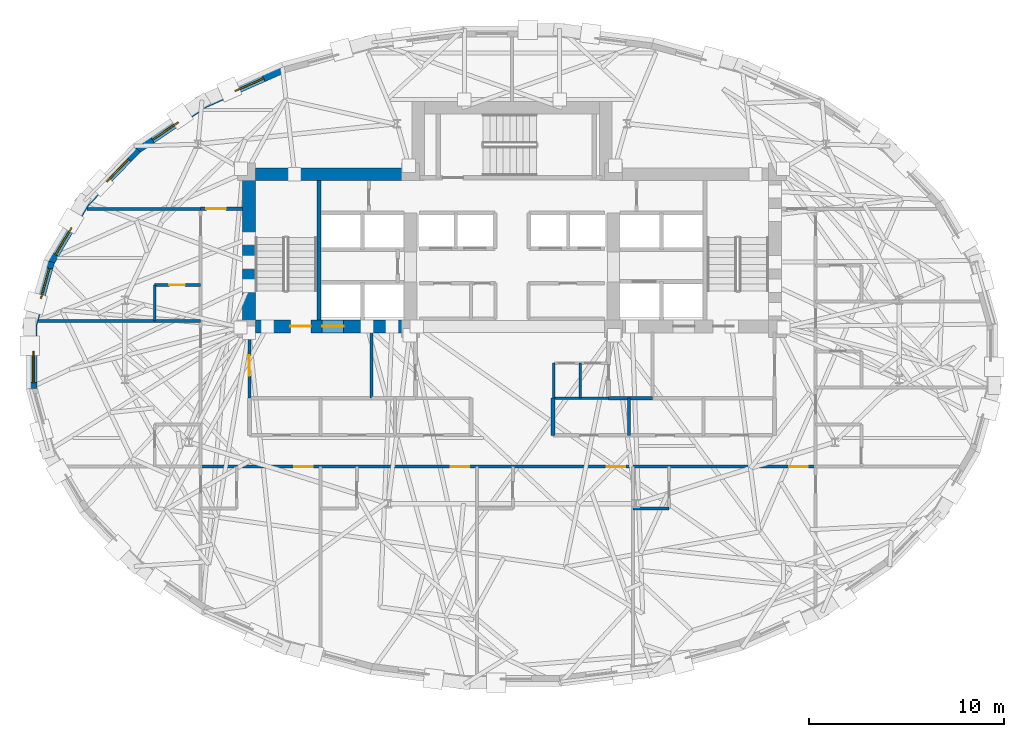
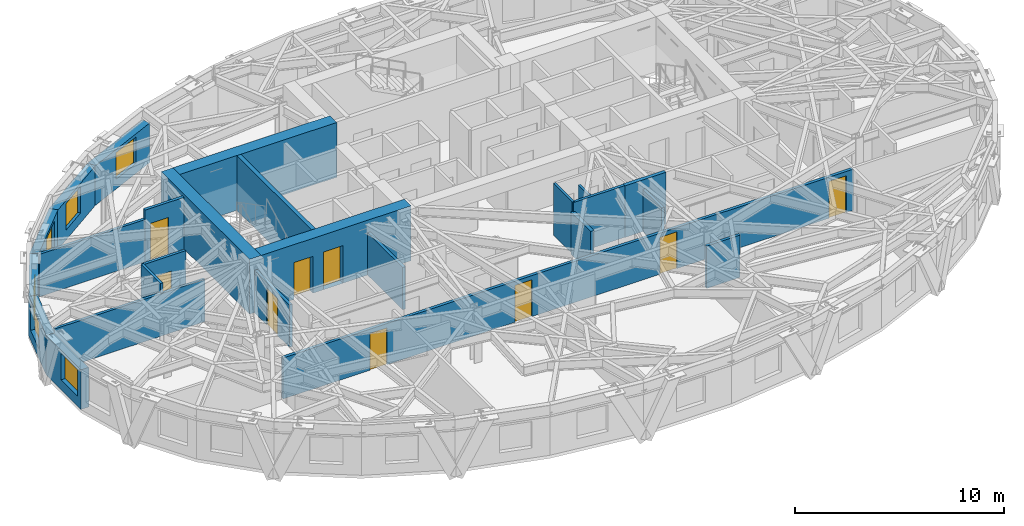
# One storey, part 7 of 15: 25 walls, 9 doors, 6 windows, 15 openings.
"""IFC4 building model written with IfcOpenShell, lengths in metres."""

import ifcopenshell
import ifcopenshell.guid

model = None  # the IFC model being written
_history = None  # IfcOwnerHistory: only IFC2X3 demands one
_inside = {}  # id of a spatial element -> (the spatial element, [elements in it])
_under = {}  # id of a project, library or spatial element -> (it, [spatial elements below it])
_declared = {}  # id of a project -> (the project, [libraries it declares])
_typed = {}  # id of a type object -> (the type object, [elements of that type])
_made_of = {}  # id of a material, layer set ... -> (it, [elements and type objects made of it])


def new_model(schema):
    """Start an empty IFC model of exactly this schema.

    Asked for "IFC4X3", IfcOpenShell would pick the latest addendum, in which some entities
    have other attributes; the version numbers below select the first issue.
    IFC2X3 requires an IfcOwnerHistory on every rooted entity: one is made here for all.
    """
    global model, _history
    if schema == "IFC4X3":
        model = ifcopenshell.file(schema_version=(4, 3, 0, 0))
    else:
        model = ifcopenshell.file(schema=schema)
    _inside.clear()
    _under.clear()
    _declared.clear()
    _typed.clear()
    _made_of.clear()
    _history = None
    if model.schema == "IFC2X3":
        org = make("IfcOrganization", Name="unknown")
        user = make(
            "IfcPersonAndOrganization",
            ThePerson=make("IfcPerson", FamilyName="unknown"),
            TheOrganization=org,
        )
        app = make(
            "IfcApplication",
            ApplicationDeveloper=org,
            Version="unknown",
            ApplicationFullName="unknown",
            ApplicationIdentifier="unknown",
        )
        _history = make(
            "IfcOwnerHistory",
            OwningUser=user,
            OwningApplication=app,
            ChangeAction="ADDED",
            CreationDate=0,
        )
    return model


def make(cls, **values):
    """One entity of the class cls with the attributes given. An attribute that is None is left unset."""
    return model.create_entity(
        cls, **{name: value for name, value in values.items() if value is not None}
    )


def rooted(cls, **values):
    """An entity with a GlobalId (a new one), such as an element, a storey or a relation."""
    return make(cls, GlobalId=ifcopenshell.guid.new(), OwnerHistory=_history, **values)


def si_unit(unit_type, name, prefix=None):
    """IfcSIUnit, for example si_unit("LENGTHUNIT", "METRE", prefix="MILLI")."""
    return make("IfcSIUnit", UnitType=unit_type, Prefix=prefix, Name=name)


def assignment(units):
    """IfcUnitAssignment: the units of a project."""
    return None if units is None else make("IfcUnitAssignment", Units=units)


def point(xyz):
    """IfcCartesianPoint."""
    return None if xyz is None else make("IfcCartesianPoint", Coordinates=xyz)


def direction(xyz):
    """IfcDirection."""
    return None if xyz is None else make("IfcDirection", DirectionRatios=xyz)


def frame(location, z_axis=None, x_axis=None):
    """IfcAxis2Placement3D, a coordinate frame: its origin and axes. An axis left out is left unset."""
    return make(
        "IfcAxis2Placement3D",
        Location=point(location),
        Axis=direction(z_axis),
        RefDirection=direction(x_axis),
    )


def frame_2d(location, x_axis=None):
    """IfcAxis2Placement2D, a coordinate frame in the plane: its origin and x axis."""
    return make(
        "IfcAxis2Placement2D", Location=point(location), RefDirection=direction(x_axis)
    )


def origin():
    """The frame at (0, 0, 0) with its axes left unset."""
    return frame((0.0, 0.0, 0.0))


def place(relative_to, where):
    """IfcLocalPlacement: puts the frame where relative to a parent placement (None: the world)."""
    return make(
        "IfcLocalPlacement", PlacementRelTo=relative_to, RelativePlacement=where
    )


def context(
    kind, dimensions, precision=None, world=None, true_north=None, identifier=None
):
    """IfcGeometricRepresentationContext, for example the 3D "Model" context."""
    return make(
        "IfcGeometricRepresentationContext",
        ContextIdentifier=identifier,
        ContextType=kind,
        CoordinateSpaceDimension=dimensions,
        Precision=precision,
        WorldCoordinateSystem=world,
        TrueNorth=true_north,
    )


def subcontext(parent, identifier, kind, view, scale=None):
    """IfcGeometricRepresentationSubContext, for example "Body" below "Model"."""
    return make(
        "IfcGeometricRepresentationSubContext",
        ContextIdentifier=identifier,
        ContextType=kind,
        ParentContext=parent,
        TargetScale=scale,
        TargetView=view,
    )


def project(units=None, contexts=None):
    """IfcProject with its units and contexts."""
    return rooted(
        "IfcProject",
        Name="project",
        RepresentationContexts=contexts,
        UnitsInContext=assignment(units),
    )


def spatial(cls, under=None, at=None, **own):
    """A site, building, storey or space (cls), placed at a placement, below another one or the project."""
    s = rooted(cls, ObjectPlacement=at, **own)
    if under is not None:
        _under.setdefault(under.id(), (under, []))[1].append(s)
    return s


def profile(cls, at=None, kind="AREA", **sizes):
    """A parametric profile (cls). Its sizes go by their IFC names, for example OverallWidth=200.0."""
    return make(cls, ProfileType=kind, Position=at, **sizes)


def rectangle(**sizes):
    """IfcRectangleProfileDef."""
    return profile("IfcRectangleProfileDef", **sizes)


def extrude(swept, where, along, depth):
    """IfcExtrudedAreaSolid: the profile swept, set in the frame where, extruded along a direction by depth."""
    return make(
        "IfcExtrudedAreaSolid",
        SweptArea=swept,
        Position=where,
        ExtrudedDirection=direction(along),
        Depth=depth,
    )


def shape(context_of_items, identifier, shape_type, items):
    """IfcShapeRepresentation: the items that make up one representation, for example the "Body"."""
    return make(
        "IfcShapeRepresentation",
        ContextOfItems=context_of_items,
        RepresentationIdentifier=identifier,
        RepresentationType=shape_type,
        Items=items,
    )


def material(Name=None, Category=None):
    """IfcMaterial."""
    return make("IfcMaterial", Name=Name, Category=Category)


def layer(
    of_material, thickness, ventilated=None, Name=None, Category=None, Priority=None
):
    """IfcMaterialLayer: one layer of a wall or slab, of a material (None: an air gap)."""
    return make(
        "IfcMaterialLayer",
        Material=of_material,
        LayerThickness=thickness,
        IsVentilated=ventilated,
        Name=Name,
        Category=Category,
        Priority=Priority,
    )


def layer_set(layers, Name=None):
    """IfcMaterialLayerSet."""
    return make("IfcMaterialLayerSet", MaterialLayers=layers, LayerSetName=Name)


def made_of(thing, what):
    """Note that an element or type object is made of a material, layer set ...; save() writes the relation."""
    if what is not None:
        _made_of.setdefault(what.id(), (what, []))[1].append(thing)
    return thing


def type_object(cls, material=None, **own):
    """A type object (cls), such as IfcWallType, which elements share."""
    return made_of(rooted(cls, **own), material)


def element(
    cls,
    number,
    at=None,
    inside=None,
    cuts=None,
    type_object=None,
    material=None,
    context=None,
    identifier="Body",
    shape_type=None,
    held_by="IfcProductDefinitionShape",
    body=None,
    shapes=None,
    **own,
):
    """One element of the class cls, such as IfcWall. Its Tag is "e" and its number.

    at: its placement. inside: the storey or other place that contains it. cuts: it is an
    opening in that element (IfcRelVoidsElement). A single representation is given by context,
    identifier, shape_type and body (its items); several are given by shapes. held_by: the class
    of the entity that holds the representations. save() writes the other relations.
    """
    e = rooted(cls, Tag="e%d" % number, ObjectPlacement=at, **own)
    if body is not None:
        shapes = [shape(context, identifier, shape_type, body)]
    if shapes is not None:
        e.Representation = make(held_by, Representations=shapes)
    if inside is not None:
        _inside.setdefault(inside.id(), (inside, []))[1].append(e)
    if cuts is not None:
        rooted(
            "IfcRelVoidsElement", RelatingBuildingElement=cuts, RelatedOpeningElement=e
        )
    if type_object is not None:
        _typed.setdefault(type_object.id(), (type_object, []))[1].append(e)
    return made_of(e, material)


def fill(opening, filler):
    """IfcRelFillsElement: the door or window that sits in an opening."""
    return rooted(
        "IfcRelFillsElement",
        RelatingOpeningElement=opening,
        RelatedBuildingElement=filler,
    )


def aggregate(whole, parts):
    """IfcRelAggregates: a whole, such as a stair, and the parts it consists of."""
    return rooted("IfcRelAggregates", RelatingObject=whole, RelatedObjects=parts)


def save(model, path):
    """Write the relations noted so far, then the file.

    IfcRelAggregates (storeys below a building ...), IfcRelContainedInSpatialStructure (elements
    in a storey), IfcRelDefinesByType, IfcRelAssociatesMaterial and IfcRelDeclares: one each for
    every whole, place, type object, material and project.
    """
    for whole, parts in _under.values():
        aggregate(whole, parts)
    for where, things in _inside.values():
        rooted(
            "IfcRelContainedInSpatialStructure",
            RelatedElements=things,
            RelatingStructure=where,
        )
    for kind, things in _typed.values():
        rooted("IfcRelDefinesByType", RelatedObjects=things, RelatingType=kind)
    for what, things in _made_of.values():
        rooted("IfcRelAssociatesMaterial", RelatedObjects=things, RelatingMaterial=what)
    for by, libraries in _declared.values():
        rooted("IfcRelDeclares", RelatingContext=by, RelatedDefinitions=libraries)
    model.write(path)


model = new_model("IFC4")

# Units and contexts
model_context = context("Model", 3, precision=1e-05, world=origin(), true_north=direction((0.0, 1.0)))
body_context = subcontext(model_context, "Body", "Model", "MODEL_VIEW")
ifc_project = project(units=[si_unit("LENGTHUNIT", "METRE"), si_unit("AREAUNIT", "SQUARE_METRE"), si_unit("VOLUMEUNIT", "CUBIC_METRE"), si_unit("PLANEANGLEUNIT", "RADIAN"), si_unit("MASSUNIT", "GRAM", prefix="KILO")], contexts=[model_context])

# Site, building, storey
site_placement = place(None, origin())
site = spatial("IfcSite", under=ifc_project, at=site_placement, CompositionType="ELEMENT")
building_placement = place(site_placement, origin())
building = spatial("IfcBuilding", under=site, at=building_placement, Name="Keldmark Tower", CompositionType="ELEMENT")
storey_placement = place(building_placement, frame((0.0, 0.0, 166.199951171875)))
storey = spatial("IfcBuildingStorey", under=building, at=storey_placement, Name="L45", CompositionType="ELEMENT", Elevation=166.199951171875)

# Walls
ifc_material_1 = material(Name="Heavy Acoustic Plumbing Chase Gypsum Assembly", Category="gypsum")
ifc_layer_1 = layer(ifc_material_1, 0.18994140625)
ifc_layer_set_1 = layer_set([ifc_layer_1], Name="Heavy Acoustic Plumbing Chase Gypsum Assembly")
wall_type_1 = type_object("IfcWallType", Name="Heavy Wet Wall 190 mm", PredefinedType="PLUMBINGWALL", material=ifc_layer_set_1)
wall_1_placement = place(storey_placement, frame((2.10009765625, -4.050048828125, 0.0), z_axis=(0.0, 0.0, 1.0), x_axis=(0.0, 1.0, 0.0)))
element("IfcWall", 1, at=wall_1_placement, inside=storey, type_object=wall_type_1, Name="L45 Heavy Wet Wall 190 mm SPK-E-W", PredefinedType="PLUMBINGWALL", context=body_context, shape_type="SweptSolid", body=[
    extrude(rectangle(XDim=1.900146484375, YDim=0.18994140625, at=frame_2d((0.9501953125, 0.0))), origin(), (0.0, 0.0, 1.0), 2.47314453125),
])
ifc_material_2 = material(Name="Acoustic Gypsum Board Interior Partition", Category="gypsum")
ifc_layer_2 = layer(ifc_material_2, 0.1298828125)
ifc_layer_set_2 = layer_set([ifc_layer_2], Name="Acoustic Gypsum Board Interior Partition")
wall_type_2 = type_object("IfcWallType", Name="Interior Partition 130 mm", PredefinedType="PARTITIONING", material=ifc_layer_set_2)
wall_2_placement = place(storey_placement, frame((2.14990234375, -2.14990234375, 0.0), z_axis=(0.0, 0.0, 1.0), x_axis=(0.0, 1.0, 0.0)))
element("IfcWall", 2, at=wall_2_placement, inside=storey, type_object=wall_type_2, Name="L45 Interior Partition 130 mm CSC-E-W", PredefinedType="PARTITIONING", context=body_context, shape_type="SweptSolid", body=[
    extrude(rectangle(XDim=1.7998046875, YDim=0.1298828125, at=frame_2d((0.89990234375, 0.0))), origin(), (0.0, 0.0, 1.0), 3.02001953125),
])
wall_3_placement = place(storey_placement, frame((3.5, -2.14990234375, 0.0), z_axis=(0.0, 0.0, 1.0), x_axis=(0.0, 1.0, 0.0)))
element("IfcWall", 3, at=wall_3_placement, inside=storey, type_object=wall_type_2, Name="L45 Interior Partition 130 mm CSC-E-M", PredefinedType="PARTITIONING", context=body_context, shape_type="SweptSolid", body=[
    extrude(rectangle(XDim=1.7998046875, YDim=0.1298828125, at=frame_2d((0.89990234375, 0.0))), origin(), (0.0, 0.0, 1.0), 2.47314453125),
])

# Wall, opening, door
ifc_material_3 = material(Name="Type X Fire-Rated Gypsum Partition Assembly", Category="gypsum")
ifc_layer_3 = layer(ifc_material_3, 0.1650390625)
ifc_layer_set_3 = layer_set([ifc_layer_3], Name="Type X Fire-Rated Gypsum Partition Assembly")
wall_type_3 = type_object("IfcWallType", Name="Rated Partition 165 mm", PredefinedType="PARTITIONING", material=ifc_layer_set_3)
wall_4_placement = place(storey_placement, frame((-13.449951171875, -2.14990234375, 0.0), z_axis=(0.0, 0.0, 1.0), x_axis=(0.0, 1.0, 0.0)))
wall_4 = element("IfcWall", 4, at=wall_4_placement, inside=storey, type_object=wall_type_3, Name="L45 Rated Partition 165 mm FSAE-W-W", PredefinedType="PARTITIONING", context=body_context, shape_type="SweptSolid", body=[
    extrude(rectangle(XDim=3.39990234375, YDim=0.1650390625, at=frame_2d((1.699951171875, 0.0))), origin(), (0.0, 0.0, 1.0), 2.47314453125),
])
opening_1_placement = place(wall_4_placement, frame((1.14990234375, 0.0, 0.0)))
opening_1 = element("IfcOpeningElement", 5, at=opening_1_placement, cuts=wall_4, Name="Opening D-FL105", PredefinedType="OPENING", context=body_context, shape_type="SweptSolid", body=[
    extrude(rectangle(XDim=1.050048828125, YDim=2.14990234375, at=frame_2d((0.52490234375, 1.074951171875))), frame((0.0, 0.092529296875, 0.0), z_axis=(0.0, -1.0, 0.0), x_axis=(1.0, 0.0, 0.0)), (0.0, 0.0, 1.0), 0.18505859375),
])
ifc_material_4 = material(Name="Fire-Rated Mineral-Core Door and Vision Lite", Category="metal")
door_type_1 = type_object("IfcDoorType", Name="Fire Lobby Door 1050x2150", OperationType="NOTDEFINED", PredefinedType="DOOR", material=ifc_material_4)
door_1_placement = place(opening_1_placement, origin())
door_1 = element("IfcDoor", 6, at=door_1_placement, inside=storey, type_object=door_type_1, Name="L45 Fire Lobby Door 1050x2150 D-FSAEW-OUT-L45", OperationType="SINGLE_SWING_LEFT", OverallHeight=2.14990234375, OverallWidth=1.050048828125, PredefinedType="DOOR", context=body_context, shape_type="SweptSolid", body=[
    extrude(rectangle(XDim=1.050048828125, YDim=2.14990234375, at=frame_2d((0.52490234375, 1.074951171875))), frame((0.0, 0.02490234375, 0.0), z_axis=(0.0, -1.0, 0.0), x_axis=(1.0, 0.0, 0.0)), (0.0, 0.0, 1.0), 0.050048828125),
])
fill(opening_1, door_1)

# Wall
wall_5_placement = place(storey_placement, frame((-7.199951171875, -2.14990234375, 0.0), z_axis=(0.0, 0.0, 1.0), x_axis=(0.0, 1.0, 0.0)))
element("IfcWall", 7, at=wall_5_placement, inside=storey, type_object=wall_type_3, Name="L45 Rated Partition 165 mm FSAE-W-E", PredefinedType="PARTITIONING", context=body_context, shape_type="SweptSolid", body=[
    extrude(rectangle(XDim=3.39990234375, YDim=0.1650390625, at=frame_2d((1.699951171875, 0.0))), origin(), (0.0, 0.0, 1.0), 2.47314453125),
])

# Wall, openings, doors
wall_6_placement = place(storey_placement, frame((-15.949951171875, -5.64990234375, 0.0), z_axis=(0.0, 0.0, 1.0), x_axis=(1.0, 0.0, 0.0)))
wall_6 = element("IfcWall", 8, at=wall_6_placement, inside=storey, type_object=wall_type_3, Name="L45 Rated Partition 165 mm HCOR-S", PredefinedType="PARTITIONING", context=body_context, shape_type="SweptSolid", body=[
    extrude(rectangle(XDim=31.5, YDim=0.1650390625, at=frame_2d((15.75, 0.0))), origin(), (0.0, 0.0, 1.0), 2.39794921875),
])
opening_2_placement = place(wall_6_placement, frame((4.800048828125, 0.0, 0.0)))
opening_2 = element("IfcOpeningElement", 9, at=opening_2_placement, cuts=wall_6, Name="Opening D-HT095", PredefinedType="OPENING", context=body_context, shape_type="SweptSolid", body=[
    extrude(rectangle(XDim=0.949951171875, YDim=2.14990234375, at=frame_2d((0.47509765625, 1.074951171875))), frame((0.0, 0.092529296875, 0.0), z_axis=(0.0, -1.0, 0.0), x_axis=(1.0, 0.0, 0.0)), (0.0, 0.0, 1.0), 0.18505859375),
])
opening_3_placement = place(wall_6_placement, frame((12.800048828125, 0.0, 0.0)))
opening_3 = element("IfcOpeningElement", 10, at=opening_3_placement, cuts=wall_6, Name="Opening D-HT095", PredefinedType="OPENING", context=body_context, shape_type="SweptSolid", body=[
    extrude(rectangle(XDim=0.949951171875, YDim=2.14990234375, at=frame_2d((0.47509765625, 1.074951171875))), frame((0.0, 0.092529296875, 0.0), z_axis=(0.0, -1.0, 0.0), x_axis=(1.0, 0.0, 0.0)), (0.0, 0.0, 1.0), 0.18505859375),
])
opening_4_placement = place(wall_6_placement, frame((20.800048828125, 0.0, 0.0)))
opening_4 = element("IfcOpeningElement", 11, at=opening_4_placement, cuts=wall_6, Name="Opening D-HT095", PredefinedType="OPENING", context=body_context, shape_type="SweptSolid", body=[
    extrude(rectangle(XDim=0.949951171875, YDim=2.14990234375, at=frame_2d((0.47509765625, 1.074951171875))), frame((0.0, 0.092529296875, 0.0), z_axis=(0.0, -1.0, 0.0), x_axis=(1.0, 0.0, 0.0)), (0.0, 0.0, 1.0), 0.18505859375),
])
opening_5_placement = place(wall_6_placement, frame((30.14990234375, 0.0, 0.0)))
opening_5 = element("IfcOpeningElement", 12, at=opening_5_placement, cuts=wall_6, Name="Opening D-HT095", PredefinedType="OPENING", context=body_context, shape_type="SweptSolid", body=[
    extrude(rectangle(XDim=0.949951171875, YDim=2.14990234375, at=frame_2d((0.47509765625, 1.074951171875))), frame((0.0, 0.092529296875, 0.0), z_axis=(0.0, -1.0, 0.0), x_axis=(1.0, 0.0, 0.0)), (0.0, 0.0, 1.0), 0.18505859375),
])
ifc_material_5 = material(Name="Solid-Core Acoustic White Oak Fire-Rated Assembly", Category="wood")
door_type_2 = type_object("IfcDoorType", Name="Hotel Entry Door 950x2150", OperationType="NOTDEFINED", PredefinedType="DOOR", material=ifc_material_5)
door_2_placement = place(opening_2_placement, origin())
door_2 = element("IfcDoor", 13, at=door_2_placement, inside=storey, type_object=door_type_2, Name="L45 Hotel Entry Door 950x2150 D-HRS1-L45", OperationType="SINGLE_SWING_RIGHT", OverallHeight=2.14990234375, OverallWidth=0.949951171875, PredefinedType="DOOR", context=body_context, shape_type="SweptSolid", body=[
    extrude(rectangle(XDim=0.949951171875, YDim=2.14990234375, at=frame_2d((0.47509765625, 1.074951171875))), frame((0.0, 0.02490234375, 0.0), z_axis=(0.0, -1.0, 0.0), x_axis=(1.0, 0.0, 0.0)), (0.0, 0.0, 1.0), 0.050048828125),
])
fill(opening_2, door_2)
door_3_placement = place(opening_3_placement, origin())
door_3 = element("IfcDoor", 14, at=door_3_placement, inside=storey, type_object=door_type_2, Name="L45 Hotel Entry Door 950x2150 D-HRS2-L45", OperationType="SINGLE_SWING_LEFT", OverallHeight=2.14990234375, OverallWidth=0.949951171875, PredefinedType="DOOR", context=body_context, shape_type="SweptSolid", body=[
    extrude(rectangle(XDim=0.949951171875, YDim=2.14990234375, at=frame_2d((0.47509765625, 1.074951171875))), frame((0.0, 0.02490234375, 0.0), z_axis=(0.0, -1.0, 0.0), x_axis=(1.0, 0.0, 0.0)), (0.0, 0.0, 1.0), 0.050048828125),
])
fill(opening_3, door_3)
door_4_placement = place(opening_4_placement, origin())
door_4 = element("IfcDoor", 15, at=door_4_placement, inside=storey, type_object=door_type_2, Name="L45 Hotel Entry Door 950x2150 D-HRS3-L45", OperationType="SINGLE_SWING_RIGHT", OverallHeight=2.14990234375, OverallWidth=0.949951171875, PredefinedType="DOOR", context=body_context, shape_type="SweptSolid", body=[
    extrude(rectangle(XDim=0.949951171875, YDim=2.14990234375, at=frame_2d((0.47509765625, 1.074951171875))), frame((0.0, 0.02490234375, 0.0), z_axis=(0.0, -1.0, 0.0), x_axis=(1.0, 0.0, 0.0)), (0.0, 0.0, 1.0), 0.050048828125),
])
fill(opening_4, door_4)
door_5_placement = place(opening_5_placement, origin())
door_5 = element("IfcDoor", 16, at=door_5_placement, inside=storey, type_object=door_type_2, Name="L45 Hotel Entry Door 950x2150 D-HRS4-L45", OperationType="SINGLE_SWING_LEFT", OverallHeight=2.14990234375, OverallWidth=0.949951171875, PredefinedType="DOOR", context=body_context, shape_type="SweptSolid", body=[
    extrude(rectangle(XDim=0.949951171875, YDim=2.14990234375, at=frame_2d((0.47509765625, 1.074951171875))), frame((0.0, 0.02490234375, 0.0), z_axis=(0.0, -1.0, 0.0), x_axis=(1.0, 0.0, 0.0)), (0.0, 0.0, 1.0), 0.050048828125),
])
fill(opening_5, door_5)

# Wall, opening, door
wall_7_placement = place(storey_placement, frame((-15.949951171875, 7.550048828125, 0.0), z_axis=(0.0, 0.0, 1.0), x_axis=(1.0, 0.0, 0.0)))
wall_7 = element("IfcWall", 17, at=wall_7_placement, inside=storey, type_object=wall_type_3, Name="L45 Rated Partition 165 mm HCOR-WN", PredefinedType="PARTITIONING", context=body_context, shape_type="SweptSolid", body=[
    extrude(rectangle(XDim=2.14990234375, YDim=0.1650390625, at=frame_2d((1.074951171875, 0.0))), origin(), (0.0, 0.0, 1.0), 3.02001953125),
])
opening_6_placement = place(wall_7_placement, frame((0.300048828125, 0.0, 0.0)))
opening_6 = element("IfcOpeningElement", 18, at=opening_6_placement, cuts=wall_7, Name="Opening D-FD100", PredefinedType="OPENING", context=body_context, shape_type="SweptSolid", body=[
    extrude(rectangle(XDim=1.0, YDim=2.14990234375, at=frame_2d((0.5, 1.074951171875))), frame((0.0, 0.092529296875, 0.0), z_axis=(0.0, -1.0, 0.0), x_axis=(1.0, 0.0, 0.0)), (0.0, 0.0, 1.0), 0.18505859375),
])
ifc_material_6 = material(Name="Hollow Metal Fire-Rated Corridor Door", Category="metal")
door_type_3 = type_object("IfcDoorType", Name="Fire Door 1000x2150", OperationType="NOTDEFINED", PredefinedType="DOOR", material=ifc_material_6)
door_6_placement = place(opening_6_placement, origin())
door_6 = element("IfcDoor", 19, at=door_6_placement, inside=storey, type_object=door_type_3, Name="L45 Fire Door 1000x2150 D-HNNW-L45", OperationType="SINGLE_SWING_LEFT", OverallHeight=2.14990234375, OverallWidth=1.0, PredefinedType="DOOR", context=body_context, shape_type="SweptSolid", body=[
    extrude(rectangle(XDim=1.0, YDim=2.14990234375, at=frame_2d((0.5, 1.074951171875))), frame((0.0, 0.02490234375, 0.0), z_axis=(0.0, -1.0, 0.0), x_axis=(1.0, 0.0, 0.0)), (0.0, 0.0, 1.0), 0.050048828125),
])
fill(opening_6, door_6)

# Walls
ifc_material_7 = material(Name="Fire-Resistant Type X Gypsum Shaftliner Coreboard", Category="gypsum")
ifc_layer_4 = layer(ifc_material_7, 0.199951171875)
ifc_layer_set_4 = layer_set([ifc_layer_4], Name="Fire-Resistant Type X Gypsum Shaftliner Coreboard")
wall_type_4 = type_object("IfcWallType", Name="Shaft Wall 200 mm", PredefinedType="SOLIDWALL", material=ifc_layer_set_4)
wall_8_placement = place(storey_placement, frame((4.949951171875, -2.14990234375, 0.0), z_axis=(0.0, 0.0, 1.0), x_axis=(1.0, 0.0, 0.0)))
element("IfcWall", 20, at=wall_8_placement, inside=storey, type_object=wall_type_4, Name="L45 Shaft Wall 200 mm RIS-SE-S", PredefinedType="SOLIDWALL", context=body_context, shape_type="SweptSolid", body=[
    extrude(rectangle(XDim=2.25, YDim=0.199951171875, at=frame_2d((1.125, 0.0))), origin(), (0.0, 0.0, 1.0), 3.02001953125),
])
ifc_material_8 = material(Name="Concrete C50/60", Category="concrete")
ifc_layer_5 = layer(ifc_material_8, 0.219970703125)
ifc_layer_set_5 = layer_set([ifc_layer_5], Name="Concrete C50/60")
wall_type_5 = type_object("IfcWallType", Name="Stair Core Shear Wall 220 mm", PredefinedType="SHEAR", material=ifc_layer_set_5)
wall_9_placement = place(storey_placement, frame((-9.889892578125, 1.85009765625, 0.0), z_axis=(0.0, 0.0, 1.0), x_axis=(0.0, 1.0, 0.0)))
element("IfcWall", 21, at=wall_9_placement, inside=storey, type_object=wall_type_5, Name="L45 West Stair Core Shear Wall", PredefinedType="SHEAR", context=body_context, shape_type="SweptSolid", body=[
    extrude(rectangle(XDim=7.14990234375, YDim=0.219970703125, at=frame_2d((3.574951171875, 0.0))), origin(), (0.0, 0.0, 1.0), 3.199951171875),
])

# Wall, opening, window
ifc_material_9 = material(Name="Ironspot Manganese Brick and Kasota Buff Limestone Spandrel Assembly", Category="masonry")
ifc_layer_6 = layer(ifc_material_9, 0.43994140625)
ifc_layer_set_6 = layer_set([ifc_layer_6], Name="Ironspot Manganese Brick and Kasota Buff Limestone Spandrel Assembly")
wall_type_6 = type_object("IfcWallType", Name="Tower Brick Pier and Spandrel Wall 440 mm", PredefinedType="STANDARD", material=ifc_layer_set_6)
wall_10_placement = place(storey_placement, frame((-15.790771484375, 12.91552734375, 0.0), z_axis=(0.0, 0.0, 1.0), x_axis=(0.913907994914, 0.405921392431, 0.0)))
wall_10 = element("IfcWall", 22, at=wall_10_placement, inside=storey, type_object=wall_type_6, Name="L45 Exterior Brick and Spandrel Wall 11", PredefinedType="STANDARD", context=body_context, shape_type="SweptSolid", body=[
    extrude(rectangle(XDim=4.4873046875, YDim=0.43994140625, at=frame_2d((2.24365234375, 0.0))), origin(), (0.0, 0.0, 1.0), 2.31494140625),
])
opening_7_placement = place(wall_10_placement, frame((1.7421875, 0.0, 0.580078125)))
opening_7 = element("IfcOpeningElement", 23, at=opening_7_placement, cuts=wall_10, Name="Opening W-04", PredefinedType="OPENING", context=body_context, shape_type="SweptSolid", body=[
    extrude(rectangle(XDim=1.60009765625, YDim=1.550048828125, at=frame_2d((0.800048828125, 0.77490234375))), frame((0.0, 0.22998046875, 0.0), z_axis=(0.0, -1.0, 0.0), x_axis=(1.0, 0.0, 0.0)), (0.0, 0.0, 1.0), 0.4599609375),
])
ifc_material_10 = material(Name="Thermally Broken Anodized Aluminum and Triple Low-E Argon Glazing", Category="aluminium")
window_type = type_object("IfcWindowType", Name="Hotel Deep-Set Operable Window 1600x1550", PartitioningType="DOUBLE_PANEL_HORIZONTAL", PredefinedType="WINDOW", material=ifc_material_10)
window_1_placement = place(opening_7_placement, origin())
window_1 = element("IfcWindow", 24, at=window_1_placement, inside=storey, type_object=window_type, Name="L45 Deep-Set Window 11", OverallHeight=1.550048828125, OverallWidth=1.60009765625, PartitioningType="SINGLE_PANEL", PredefinedType="WINDOW", context=body_context, shape_type="SweptSolid", body=[
    extrude(rectangle(XDim=1.60009765625, YDim=1.550048828125, at=frame_2d((0.800048828125, 0.77490234375))), frame((0.0, -0.010009765625, 0.0), z_axis=(0.0, -1.0, 0.0), x_axis=(1.0, 0.0, 0.0)), (0.0, 0.0, 1.0), 0.06005859375),
])
fill(opening_7, window_1)

wall_11_placement = place(storey_placement, frame((-19.2265625, 10.58251953125, 0.0), z_axis=(0.0, 0.0, 1.0), x_axis=(0.827760762475, 0.561081206338, 0.0)))
wall_11 = element("IfcWall", 25, at=wall_11_placement, inside=storey, type_object=wall_type_6, Name="L45 Exterior Brick and Spandrel Wall 12", PredefinedType="STANDARD", context=body_context, shape_type="SweptSolid", body=[
    extrude(rectangle(XDim=4.19189453125, YDim=0.43994140625, at=frame_2d((2.095947265625, 0.0))), origin(), (0.0, 0.0, 1.0), 2.31494140625),
])
opening_8_placement = place(wall_11_placement, frame((0.947265625, 0.0, 0.580078125)))
opening_8 = element("IfcOpeningElement", 26, at=opening_8_placement, cuts=wall_11, Name="Opening W-04", PredefinedType="OPENING", context=body_context, shape_type="SweptSolid", body=[
    extrude(rectangle(XDim=1.60009765625, YDim=1.550048828125, at=frame_2d((0.800048828125, 0.77490234375))), frame((0.0, 0.22998046875, 0.0), z_axis=(0.0, -1.0, 0.0), x_axis=(1.0, 0.0, 0.0)), (0.0, 0.0, 1.0), 0.4599609375),
])
window_2_placement = place(opening_8_placement, origin())
window_2 = element("IfcWindow", 27, at=window_2_placement, inside=storey, type_object=window_type, Name="L45 Deep-Set Window 12", OverallHeight=1.550048828125, OverallWidth=1.60009765625, PartitioningType="SINGLE_PANEL", PredefinedType="WINDOW", context=body_context, shape_type="SweptSolid", body=[
    extrude(rectangle(XDim=1.60009765625, YDim=1.550048828125, at=frame_2d((0.800048828125, 0.77490234375))), frame((0.0, -0.010009765625, 0.0), z_axis=(0.0, -1.0, 0.0), x_axis=(1.0, 0.0, 0.0)), (0.0, 0.0, 1.0), 0.06005859375),
])
fill(opening_8, window_2)

wall_12_placement = place(storey_placement, frame((-21.878662109375, 7.831787109375, 0.0), z_axis=(0.0, 0.0, 1.0), x_axis=(0.694975307772, 0.719033602544, 0.0)))
wall_12 = element("IfcWall", 28, at=wall_12_placement, inside=storey, type_object=wall_type_6, Name="L45 Exterior Brick and Spandrel Wall 13", PredefinedType="STANDARD", context=body_context, shape_type="SweptSolid", body=[
    extrude(rectangle(XDim=3.866455078125, YDim=0.43994140625, at=frame_2d((1.93310546875, 0.0))), origin(), (0.0, 0.0, 1.0), 2.31494140625),
])
opening_9_placement = place(wall_12_placement, frame((1.5751953125, 0.0, 0.580078125)))
opening_9 = element("IfcOpeningElement", 29, at=opening_9_placement, cuts=wall_12, Name="Opening W-04", PredefinedType="OPENING", context=body_context, shape_type="SweptSolid", body=[
    extrude(rectangle(XDim=1.60009765625, YDim=1.550048828125, at=frame_2d((0.800048828125, 0.77490234375))), frame((0.0, 0.22998046875, 0.0), z_axis=(0.0, -1.0, 0.0), x_axis=(1.0, 0.0, 0.0)), (0.0, 0.0, 1.0), 0.4599609375),
])
window_3_placement = place(opening_9_placement, origin())
window_3 = element("IfcWindow", 30, at=window_3_placement, inside=storey, type_object=window_type, Name="L45 Deep-Set Window 13", OverallHeight=1.550048828125, OverallWidth=1.60009765625, PartitioningType="SINGLE_PANEL", PredefinedType="WINDOW", context=body_context, shape_type="SweptSolid", body=[
    extrude(rectangle(XDim=1.60009765625, YDim=1.550048828125, at=frame_2d((0.800048828125, 0.77490234375))), frame((0.0, -0.010009765625, 0.0), z_axis=(0.0, -1.0, 0.0), x_axis=(1.0, 0.0, 0.0)), (0.0, 0.0, 1.0), 0.06005859375),
])
fill(opening_9, window_3)

wall_13_placement = place(storey_placement, frame((-23.66748046875, 4.793701171875, 0.0), z_axis=(0.0, 0.0, 1.0), x_axis=(0.508883387051, 0.860835465338, 0.0)))
wall_13 = element("IfcWall", 31, at=wall_13_placement, inside=storey, type_object=wall_type_6, Name="L45 Exterior Brick and Spandrel Wall 14", PredefinedType="STANDARD", context=body_context, shape_type="SweptSolid", body=[
    extrude(rectangle(XDim=3.57666015625, YDim=0.43994140625, at=frame_2d((1.788330078125, 0.0))), origin(), (0.0, 0.0, 1.0), 2.31494140625),
])
opening_10_placement = place(wall_13_placement, frame((0.49560546875, 0.0, 0.580078125)))
opening_10 = element("IfcOpeningElement", 32, at=opening_10_placement, cuts=wall_13, Name="Opening W-04", PredefinedType="OPENING", context=body_context, shape_type="SweptSolid", body=[
    extrude(rectangle(XDim=1.60009765625, YDim=1.550048828125, at=frame_2d((0.800048828125, 0.77490234375))), frame((0.0, 0.22998046875, 0.0), z_axis=(0.0, -1.0, 0.0), x_axis=(1.0, 0.0, 0.0)), (0.0, 0.0, 1.0), 0.4599609375),
])
window_4_placement = place(opening_10_placement, origin())
window_4 = element("IfcWindow", 33, at=window_4_placement, inside=storey, type_object=window_type, Name="L45 Deep-Set Window 14", OverallHeight=1.550048828125, OverallWidth=1.60009765625, PartitioningType="SINGLE_PANEL", PredefinedType="WINDOW", context=body_context, shape_type="SweptSolid", body=[
    extrude(rectangle(XDim=1.60009765625, YDim=1.550048828125, at=frame_2d((0.800048828125, 0.77490234375))), frame((0.0, -0.010009765625, 0.0), z_axis=(0.0, -1.0, 0.0), x_axis=(1.0, 0.0, 0.0)), (0.0, 0.0, 1.0), 0.06005859375),
])
fill(opening_10, window_4)

wall_14_placement = place(storey_placement, frame((-24.55419921875, 1.59423828125, 0.0), z_axis=(0.0, 0.0, 1.0), x_axis=(0.269235699479, 0.963074315993, 0.0)))
wall_14 = element("IfcWall", 34, at=wall_14_placement, inside=storey, type_object=wall_type_6, Name="L45 Exterior Brick and Spandrel Wall 15", PredefinedType="STANDARD", context=body_context, shape_type="SweptSolid", body=[
    extrude(rectangle(XDim=3.376953125, YDim=0.43994140625, at=frame_2d((1.6884765625, 0.0))), origin(), (0.0, 0.0, 1.0), 2.31494140625),
])
opening_11_placement = place(wall_14_placement, frame((1.429443359375, 0.0, 0.580078125)))
opening_11 = element("IfcOpeningElement", 35, at=opening_11_placement, cuts=wall_14, Name="Opening W-04", PredefinedType="OPENING", context=body_context, shape_type="SweptSolid", body=[
    extrude(rectangle(XDim=1.60009765625, YDim=1.550048828125, at=frame_2d((0.800048828125, 0.77490234375))), frame((0.0, 0.22998046875, 0.0), z_axis=(0.0, -1.0, 0.0), x_axis=(1.0, 0.0, 0.0)), (0.0, 0.0, 1.0), 0.4599609375),
])
window_5_placement = place(opening_11_placement, origin())
window_5 = element("IfcWindow", 36, at=window_5_placement, inside=storey, type_object=window_type, Name="L45 Deep-Set Window 15", OverallHeight=1.550048828125, OverallWidth=1.60009765625, PartitioningType="SINGLE_PANEL", PredefinedType="WINDOW", context=body_context, shape_type="SweptSolid", body=[
    extrude(rectangle(XDim=1.60009765625, YDim=1.550048828125, at=frame_2d((0.800048828125, 0.77490234375))), frame((0.0, -0.010009765625, 0.0), z_axis=(0.0, -1.0, 0.0), x_axis=(1.0, 0.0, 0.0)), (0.0, 0.0, 1.0), 0.06005859375),
])
fill(opening_11, window_5)

wall_15_placement = place(storey_placement, frame((-24.5458984375, -1.653564453125, 0.0), z_axis=(0.0, 0.0, 1.0), x_axis=(0.0, 1.0, 0.0)))
wall_15 = element("IfcWall", 37, at=wall_15_placement, inside=storey, type_object=wall_type_6, Name="L45 Exterior Brick and Spandrel Wall 16", PredefinedType="STANDARD", context=body_context, shape_type="SweptSolid", body=[
    extrude(rectangle(XDim=3.30712890625, YDim=0.43994140625, at=frame_2d((1.653564453125, 0.0))), origin(), (0.0, 0.0, 1.0), 2.31494140625),
])
opening_12_placement = place(wall_15_placement, frame((0.296875, 0.0, 0.580078125)))
opening_12 = element("IfcOpeningElement", 38, at=opening_12_placement, cuts=wall_15, Name="Opening W-04", PredefinedType="OPENING", context=body_context, shape_type="SweptSolid", body=[
    extrude(rectangle(XDim=1.60009765625, YDim=1.550048828125, at=frame_2d((0.800048828125, 0.77490234375))), frame((0.0, 0.22998046875, 0.0), z_axis=(0.0, -1.0, 0.0), x_axis=(1.0, 0.0, 0.0)), (0.0, 0.0, 1.0), 0.4599609375),
])
window_6_placement = place(opening_12_placement, origin())
window_6 = element("IfcWindow", 39, at=window_6_placement, inside=storey, type_object=window_type, Name="L45 Deep-Set Window 16", OverallHeight=1.550048828125, OverallWidth=1.60009765625, PartitioningType="SINGLE_PANEL", PredefinedType="WINDOW", context=body_context, shape_type="SweptSolid", body=[
    extrude(rectangle(XDim=1.60009765625, YDim=1.550048828125, at=frame_2d((0.800048828125, 0.77490234375))), frame((0.0, -0.010009765625, 0.0), z_axis=(0.0, -1.0, 0.0), x_axis=(1.0, 0.0, 0.0)), (0.0, 0.0, 1.0), 0.06005859375),
])
fill(opening_12, window_6)

# Walls
ifc_material_11 = material(Name="Concrete C50/60", Category="concrete")
ifc_layer_7 = layer(ifc_material_11, 0.64990234375)
ifc_layer_set_7 = layer_set([ifc_layer_7], Name="Concrete C50/60")
wall_type_7 = type_object("IfcWallType", Name="Upper-Mid Core Shear Wall 650 mm", PredefinedType="SHEAR", material=ifc_layer_set_7)
wall_16_placement = place(storey_placement, frame((-13.47509765625, 1.199951171875, 0.0), z_axis=(0.0, 0.0, 1.0), x_axis=(0.0, 1.0, 0.0)))
element("IfcWall", 40, at=wall_16_placement, inside=storey, type_object=wall_type_7, Name="L45 West Core Outer Shear Wall", PredefinedType="SHEAR", context=body_context, shape_type="SweptSolid", body=[
    extrude(rectangle(XDim=8.449951171875, YDim=0.64990234375, at=frame_2d((4.22509765625, 0.0))), origin(), (0.0, 0.0, 1.0), 3.199951171875),
])
wall_17_placement = place(storey_placement, frame((-13.800048828125, 9.324951171875, 0.0), z_axis=(0.0, 0.0, 1.0), x_axis=(1.0, 0.0, 0.0)))
element("IfcWall", 41, at=wall_17_placement, inside=storey, type_object=wall_type_7, Name="L45 West Core North Shear Wall", PredefinedType="SHEAR", context=body_context, shape_type="SweptSolid", body=[
    extrude(rectangle(XDim=9.324951171875, YDim=0.64990234375, at=frame_2d((4.66259765625, 0.0))), origin(), (0.0, 0.0, 1.0), 3.199951171875),
])

# Wall, openings, doors
wall_18_placement = place(storey_placement, frame((-4.875, 1.52490234375, 0.0), z_axis=(0.0, 0.0, 1.0), x_axis=(-1.0, 0.0, 0.0)))
wall_18 = element("IfcWall", 42, at=wall_18_placement, inside=storey, type_object=wall_type_7, Name="L45 West Core South Shear Wall", PredefinedType="SHEAR", context=body_context, shape_type="SweptSolid", body=[
    extrude(rectangle(XDim=8.925048828125, YDim=0.64990234375, at=frame_2d((4.46240234375, 0.0))), origin(), (0.0, 0.0, 1.0), 3.199951171875),
])
opening_13_placement = place(wall_18_placement, frame((5.425048828125, 0.0, 0.0)))
opening_13 = element("IfcOpeningElement", 43, at=opening_13_placement, cuts=wall_18, Name="Opening D-ST105", PredefinedType="OPENING", context=body_context, shape_type="SweptSolid", body=[
    extrude(rectangle(XDim=1.050048828125, YDim=2.14990234375, at=frame_2d((0.52490234375, 1.074951171875))), frame((0.0, 0.3349609375, 0.0), z_axis=(0.0, -1.0, 0.0), x_axis=(1.0, 0.0, 0.0)), (0.0, 0.0, 1.0), 0.669921875),
])
opening_14_placement = place(wall_18_placement, frame((3.7548828125, 0.0, 0.0)))
opening_14 = element("IfcOpeningElement", 44, at=opening_14_placement, cuts=wall_18, Name="Opening LD-110", PredefinedType="OPENING", context=body_context, shape_type="SweptSolid", body=[
    extrude(rectangle(XDim=1.10009765625, YDim=2.199951171875, at=frame_2d((0.550048828125, 1.10009765625))), frame((0.0, 0.3349609375, 0.0), z_axis=(0.0, -1.0, 0.0), x_axis=(1.0, 0.0, 0.0)), (0.0, 0.0, 1.0), 0.669921875),
])
ifc_material_12 = material(Name="Brushed Bronze Hoistway Sliding Leaf", Category="metal")
door_type_4 = type_object("IfcDoorType", Name="Lift Landing Sliding Door 1100x2200", OperationType="SLIDING_TO_LEFT", PredefinedType="DOOR", material=ifc_material_12)
door_7_placement = place(opening_14_placement, origin())
door_7 = element("IfcDoor", 45, at=door_7_placement, inside=storey, type_object=door_type_4, Name="L45 Lift Landing Sliding Door 1100x2200 LD-EL-FS1-L45", OperationType="SLIDING_TO_LEFT", OverallHeight=2.199951171875, OverallWidth=1.10009765625, PredefinedType="DOOR", context=body_context, shape_type="SweptSolid", body=[
    extrude(rectangle(XDim=1.10009765625, YDim=2.199951171875, at=frame_2d((0.550048828125, 1.10009765625))), frame((0.0, 0.02490234375, 0.0), z_axis=(0.0, -1.0, 0.0), x_axis=(1.0, 0.0, 0.0)), (0.0, 0.0, 1.0), 0.050048828125),
])
fill(opening_14, door_7)
ifc_material_13 = material(Name="Hollow Metal Fire-Rated Door Assembly", Category="metal")
door_type_5 = type_object("IfcDoorType", Name="Stair Fire Door 1050x2150", OperationType="NOTDEFINED", PredefinedType="DOOR", material=ifc_material_13)
door_8_placement = place(opening_13_placement, origin())
door_8 = element("IfcDoor", 46, at=door_8_placement, inside=storey, type_object=door_type_5, Name="L45 Stair Fire Door 1050x2150 D-ST1-L45", OperationType="SINGLE_SWING_RIGHT", OverallHeight=2.14990234375, OverallWidth=1.050048828125, PredefinedType="DOOR", context=body_context, shape_type="SweptSolid", body=[
    extrude(rectangle(XDim=1.050048828125, YDim=2.14990234375, at=frame_2d((0.52490234375, 1.074951171875))), frame((0.0, 0.02490234375, 0.0), z_axis=(0.0, -1.0, 0.0), x_axis=(1.0, 0.0, 0.0)), (0.0, 0.0, 1.0), 0.050048828125),
])
fill(opening_13, door_8)

# Walls
ifc_material_14 = material(Name="Moisture-Resistant Gypsum Plumbing Partition", Category="gypsum")
ifc_layer_8 = layer(ifc_material_14, 0.14990234375)
ifc_layer_set_8 = layer_set([ifc_layer_8], Name="Moisture-Resistant Gypsum Plumbing Partition")
wall_type_8 = type_object("IfcWallType", Name="Wet Wall 150 mm", PredefinedType="PLUMBINGWALL", material=ifc_layer_set_8)
wall_19_placement = place(storey_placement, frame((2.10009765625, -2.14990234375, 0.0), z_axis=(0.0, 0.0, 1.0), x_axis=(1.0, 0.0, 0.0)))
element("IfcWall", 47, at=wall_19_placement, inside=storey, type_object=wall_type_8, Name="L45 Wet Wall 150 mm SPK-E-N", PredefinedType="PLUMBINGWALL", context=body_context, shape_type="SweptSolid", body=[
    extrude(rectangle(XDim=2.849853515625, YDim=0.14990234375, at=frame_2d((1.4248046875, 0.0))), origin(), (0.0, 0.0, 1.0), 3.02001953125),
])
wall_20_placement = place(storey_placement, frame((6.0, -4.050048828125, 0.0), z_axis=(0.0, 0.0, 1.0), x_axis=(0.0, 1.0, 0.0)))
element("IfcWall", 48, at=wall_20_placement, inside=storey, type_object=wall_type_8, Name="L45 Wet Wall 150 mm SPK-E-D1", PredefinedType="PLUMBINGWALL", context=body_context, shape_type="SweptSolid", body=[
    extrude(rectangle(XDim=1.900146484375, YDim=0.14990234375, at=frame_2d((0.9501953125, 0.0))), origin(), (0.0, 0.0, 1.0), 2.47314453125),
])
wall_21_placement = place(storey_placement, frame((-21.773193359375, 7.550048828125, 0.0), z_axis=(0.0, 0.0, 1.0), x_axis=(1.0, 0.0, 0.0)))
element("IfcWall", 49, at=wall_21_placement, inside=storey, type_object=wall_type_8, Name="L45 Wet Wall 150 mm HW-CAP-N", PredefinedType="PLUMBINGWALL", context=body_context, shape_type="SweptSolid", body=[
    extrude(rectangle(XDim=5.8232421875, YDim=0.14990234375, at=frame_2d((2.91162109375, 0.0))), origin(), (0.0, 0.0, 1.0), 2.47314453125),
])
wall_22_placement = place(storey_placement, frame((6.199951171875, -7.800048828125, 0.0), z_axis=(0.0, 0.0, 1.0), x_axis=(1.0, 0.0, 0.0)))
element("IfcWall", 50, at=wall_22_placement, inside=storey, type_object=wall_type_8, Name="L45 Wet Wall 150 mm HB-S4-S", PredefinedType="PLUMBINGWALL", context=body_context, shape_type="SweptSolid", body=[
    extrude(rectangle(XDim=1.85009765625, YDim=0.14990234375, at=frame_2d((0.925048828125, 0.0))), origin(), (0.0, 0.0, 1.0), 2.47314453125),
])
wall_23_placement = place(storey_placement, frame((-24.260009765625, 1.800048828125, 0.0), z_axis=(0.0, 0.0, 1.0), x_axis=(1.0, 0.0, 0.0)))
element("IfcWall", 51, at=wall_23_placement, inside=storey, type_object=wall_type_8, Name="L45 Wet Wall 150 mm HW-DIV-1", PredefinedType="PLUMBINGWALL", context=body_context, shape_type="SweptSolid", body=[
    extrude(rectangle(XDim=8.31005859375, YDim=0.14990234375, at=frame_2d((4.155029296875, 0.0))), origin(), (0.0, 0.0, 1.0), 2.47314453125),
])

# Wall, opening, door
wall_24_placement = place(storey_placement, frame((-18.300048828125, 3.64990234375, 0.0), z_axis=(0.0, 0.0, 1.0), x_axis=(1.0, 0.0, 0.0)))
wall_24 = element("IfcWall", 52, at=wall_24_placement, inside=storey, type_object=wall_type_8, Name="L45 Wet Wall 150 mm HB-6-N", PredefinedType="PLUMBINGWALL", context=body_context, shape_type="SweptSolid", body=[
    extrude(rectangle(XDim=2.35009765625, YDim=0.14990234375, at=frame_2d((1.175048828125, 0.0))), origin(), (0.0, 0.0, 1.0), 3.02001953125),
])
opening_15_placement = place(wall_24_placement, frame((0.75, 0.0, 0.0)))
opening_15 = element("IfcOpeningElement", 53, at=opening_15_placement, cuts=wall_24, Name="Opening D-BT080", PredefinedType="OPENING", context=body_context, shape_type="SweptSolid", body=[
    extrude(rectangle(XDim=0.800048828125, YDim=2.10009765625, at=frame_2d((0.39990234375, 1.050048828125))), frame((0.0, 0.0849609375, 0.0), z_axis=(0.0, -1.0, 0.0), x_axis=(1.0, 0.0, 0.0)), (0.0, 0.0, 1.0), 0.169921875),
])
ifc_material_15 = material(Name="Moisture-Sealed Stained Wood", Category="wood")
door_type_6 = type_object("IfcDoorType", Name="Bathroom Door 800x2100", OperationType="NOTDEFINED", PredefinedType="DOOR", material=ifc_material_15)
door_9_placement = place(opening_15_placement, origin())
door_9 = element("IfcDoor", 54, at=door_9_placement, inside=storey, type_object=door_type_6, Name="L45 Bathroom Door 800x2100 D-HB-6-L45", OperationType="SINGLE_SWING_LEFT", OverallHeight=2.10009765625, OverallWidth=0.800048828125, PredefinedType="DOOR", context=body_context, shape_type="SweptSolid", body=[
    extrude(rectangle(XDim=0.800048828125, YDim=2.10009765625, at=frame_2d((0.39990234375, 1.050048828125))), frame((0.0, 0.02490234375, 0.0), z_axis=(0.0, -1.0, 0.0), x_axis=(1.0, 0.0, 0.0)), (0.0, 0.0, 1.0), 0.050048828125),
])
fill(opening_15, door_9)

# Wall
wall_25_placement = place(storey_placement, frame((-18.300048828125, 1.800048828125, 0.0), z_axis=(0.0, 0.0, 1.0), x_axis=(0.0, 1.0, 0.0)))
element("IfcWall", 55, at=wall_25_placement, inside=storey, type_object=wall_type_8, Name="L45 Wet Wall 150 mm HB-6-IN", PredefinedType="PLUMBINGWALL", context=body_context, shape_type="SweptSolid", body=[
    extrude(rectangle(XDim=1.849853515625, YDim=0.14990234375, at=frame_2d((0.9248046875, 0.0))), origin(), (0.0, 0.0, 1.0), 3.02001953125),
])

save(model, "model.ifc")
